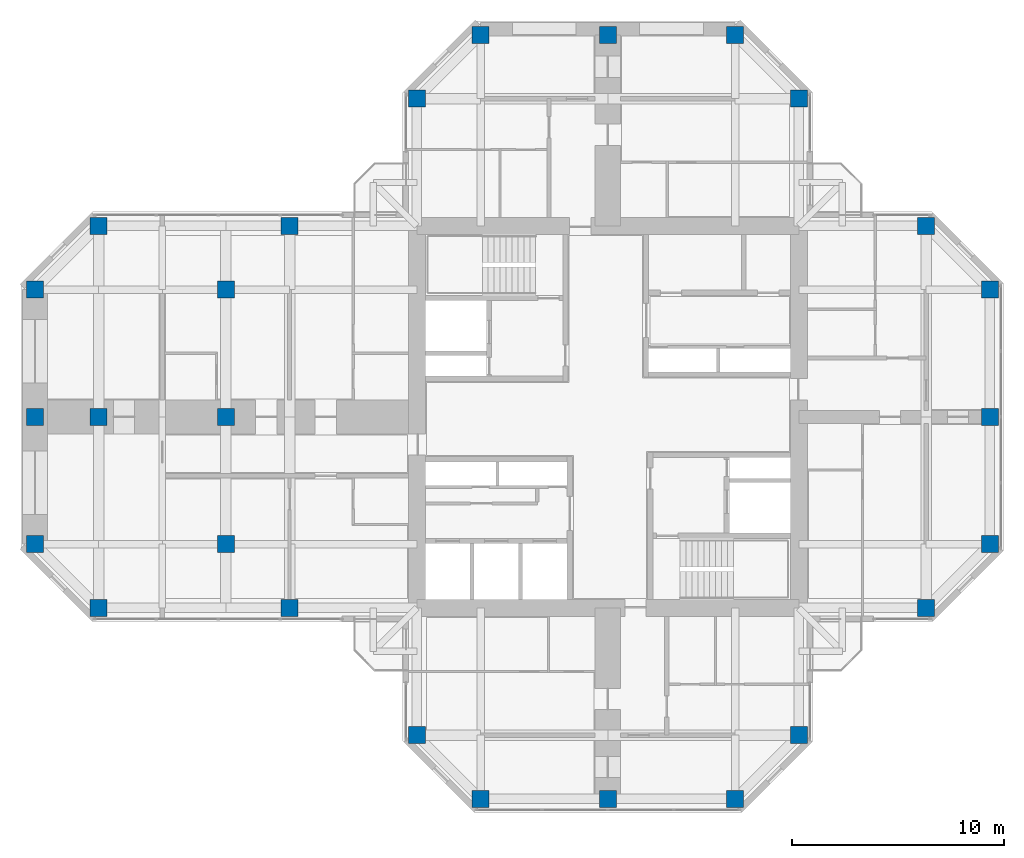
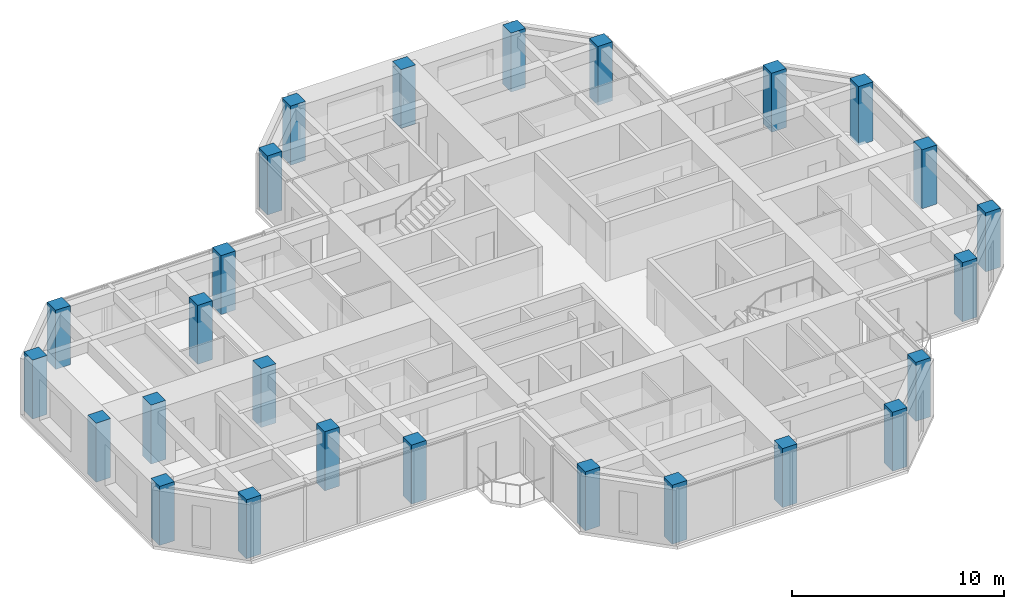
# One storey, part 1 of 13: 26 columns.
"""IFC4 building model written with IfcOpenShell, lengths in metres."""

import ifcopenshell
import ifcopenshell.guid

model = None  # the IFC model being written
_history = None  # IfcOwnerHistory: only IFC2X3 demands one
_inside = {}  # id of a spatial element -> (the spatial element, [elements in it])
_under = {}  # id of a project, library or spatial element -> (it, [spatial elements below it])
_declared = {}  # id of a project -> (the project, [libraries it declares])
_typed = {}  # id of a type object -> (the type object, [elements of that type])
_made_of = {}  # id of a material, layer set ... -> (it, [elements and type objects made of it])


def new_model(schema):
    """Start an empty IFC model of exactly this schema.

    Asked for "IFC4X3", IfcOpenShell would pick the latest addendum, in which some entities
    have other attributes; the version numbers below select the first issue.
    IFC2X3 requires an IfcOwnerHistory on every rooted entity: one is made here for all.
    """
    global model, _history
    if schema == "IFC4X3":
        model = ifcopenshell.file(schema_version=(4, 3, 0, 0))
    else:
        model = ifcopenshell.file(schema=schema)
    _inside.clear()
    _under.clear()
    _declared.clear()
    _typed.clear()
    _made_of.clear()
    _history = None
    if model.schema == "IFC2X3":
        org = make("IfcOrganization", Name="unknown")
        user = make(
            "IfcPersonAndOrganization",
            ThePerson=make("IfcPerson", FamilyName="unknown"),
            TheOrganization=org,
        )
        app = make(
            "IfcApplication",
            ApplicationDeveloper=org,
            Version="unknown",
            ApplicationFullName="unknown",
            ApplicationIdentifier="unknown",
        )
        _history = make(
            "IfcOwnerHistory",
            OwningUser=user,
            OwningApplication=app,
            ChangeAction="ADDED",
            CreationDate=0,
        )
    return model


def make(cls, **values):
    """One entity of the class cls with the attributes given. An attribute that is None is left unset."""
    return model.create_entity(
        cls, **{name: value for name, value in values.items() if value is not None}
    )


def rooted(cls, **values):
    """An entity with a GlobalId (a new one), such as an element, a storey or a relation."""
    return make(cls, GlobalId=ifcopenshell.guid.new(), OwnerHistory=_history, **values)


def si_unit(unit_type, name, prefix=None):
    """IfcSIUnit, for example si_unit("LENGTHUNIT", "METRE", prefix="MILLI")."""
    return make("IfcSIUnit", UnitType=unit_type, Prefix=prefix, Name=name)


def assignment(units):
    """IfcUnitAssignment: the units of a project."""
    return None if units is None else make("IfcUnitAssignment", Units=units)


def point(xyz):
    """IfcCartesianPoint."""
    return None if xyz is None else make("IfcCartesianPoint", Coordinates=xyz)


def direction(xyz):
    """IfcDirection."""
    return None if xyz is None else make("IfcDirection", DirectionRatios=xyz)


def frame(location, z_axis=None, x_axis=None):
    """IfcAxis2Placement3D, a coordinate frame: its origin and axes. An axis left out is left unset."""
    return make(
        "IfcAxis2Placement3D",
        Location=point(location),
        Axis=direction(z_axis),
        RefDirection=direction(x_axis),
    )


def frame_2d(location, x_axis=None):
    """IfcAxis2Placement2D, a coordinate frame in the plane: its origin and x axis."""
    return make(
        "IfcAxis2Placement2D", Location=point(location), RefDirection=direction(x_axis)
    )


def origin():
    """The frame at (0, 0, 0) with its axes left unset."""
    return frame((0.0, 0.0, 0.0))


def origin_2d():
    """The frame at (0, 0) in the plane with its x axis left unset."""
    return frame_2d((0.0, 0.0))


def place(relative_to, where):
    """IfcLocalPlacement: puts the frame where relative to a parent placement (None: the world)."""
    return make(
        "IfcLocalPlacement", PlacementRelTo=relative_to, RelativePlacement=where
    )


def context(
    kind, dimensions, precision=None, world=None, true_north=None, identifier=None
):
    """IfcGeometricRepresentationContext, for example the 3D "Model" context."""
    return make(
        "IfcGeometricRepresentationContext",
        ContextIdentifier=identifier,
        ContextType=kind,
        CoordinateSpaceDimension=dimensions,
        Precision=precision,
        WorldCoordinateSystem=world,
        TrueNorth=true_north,
    )


def subcontext(parent, identifier, kind, view, scale=None):
    """IfcGeometricRepresentationSubContext, for example "Body" below "Model"."""
    return make(
        "IfcGeometricRepresentationSubContext",
        ContextIdentifier=identifier,
        ContextType=kind,
        ParentContext=parent,
        TargetScale=scale,
        TargetView=view,
    )


def project(units=None, contexts=None):
    """IfcProject with its units and contexts."""
    return rooted(
        "IfcProject",
        Name="project",
        RepresentationContexts=contexts,
        UnitsInContext=assignment(units),
    )


def spatial(cls, under=None, at=None, **own):
    """A site, building, storey or space (cls), placed at a placement, below another one or the project."""
    s = rooted(cls, ObjectPlacement=at, **own)
    if under is not None:
        _under.setdefault(under.id(), (under, []))[1].append(s)
    return s


def profile(cls, at=None, kind="AREA", **sizes):
    """A parametric profile (cls). Its sizes go by their IFC names, for example OverallWidth=200.0."""
    return make(cls, ProfileType=kind, Position=at, **sizes)


def rectangle(**sizes):
    """IfcRectangleProfileDef."""
    return profile("IfcRectangleProfileDef", **sizes)


def extrude(swept, where, along, depth):
    """IfcExtrudedAreaSolid: the profile swept, set in the frame where, extruded along a direction by depth."""
    return make(
        "IfcExtrudedAreaSolid",
        SweptArea=swept,
        Position=where,
        ExtrudedDirection=direction(along),
        Depth=depth,
    )


def shape(context_of_items, identifier, shape_type, items):
    """IfcShapeRepresentation: the items that make up one representation, for example the "Body"."""
    return make(
        "IfcShapeRepresentation",
        ContextOfItems=context_of_items,
        RepresentationIdentifier=identifier,
        RepresentationType=shape_type,
        Items=items,
    )


def material(Name=None, Category=None):
    """IfcMaterial."""
    return make("IfcMaterial", Name=Name, Category=Category)


def material_profile(
    of_material, cross_section, Name=None, Category=None, Priority=None
):
    """IfcMaterialProfile: a cross section and its material."""
    return make(
        "IfcMaterialProfile",
        Name=Name,
        Material=of_material,
        Profile=cross_section,
        Priority=Priority,
        Category=Category,
    )


def profile_set(profiles, Name=None, composite=None):
    """IfcMaterialProfileSet."""
    return make(
        "IfcMaterialProfileSet",
        Name=Name,
        MaterialProfiles=profiles,
        CompositeProfile=composite,
    )


def made_of(thing, what):
    """Note that an element or type object is made of a material, layer set ...; save() writes the relation."""
    if what is not None:
        _made_of.setdefault(what.id(), (what, []))[1].append(thing)
    return thing


def type_object(cls, material=None, **own):
    """A type object (cls), such as IfcWallType, which elements share."""
    return made_of(rooted(cls, **own), material)


def element(
    cls,
    number,
    at=None,
    inside=None,
    cuts=None,
    type_object=None,
    material=None,
    context=None,
    identifier="Body",
    shape_type=None,
    held_by="IfcProductDefinitionShape",
    body=None,
    shapes=None,
    **own,
):
    """One element of the class cls, such as IfcWall. Its Tag is "e" and its number.

    at: its placement. inside: the storey or other place that contains it. cuts: it is an
    opening in that element (IfcRelVoidsElement). A single representation is given by context,
    identifier, shape_type and body (its items); several are given by shapes. held_by: the class
    of the entity that holds the representations. save() writes the other relations.
    """
    e = rooted(cls, Tag="e%d" % number, ObjectPlacement=at, **own)
    if body is not None:
        shapes = [shape(context, identifier, shape_type, body)]
    if shapes is not None:
        e.Representation = make(held_by, Representations=shapes)
    if inside is not None:
        _inside.setdefault(inside.id(), (inside, []))[1].append(e)
    if cuts is not None:
        rooted(
            "IfcRelVoidsElement", RelatingBuildingElement=cuts, RelatedOpeningElement=e
        )
    if type_object is not None:
        _typed.setdefault(type_object.id(), (type_object, []))[1].append(e)
    return made_of(e, material)


def aggregate(whole, parts):
    """IfcRelAggregates: a whole, such as a stair, and the parts it consists of."""
    return rooted("IfcRelAggregates", RelatingObject=whole, RelatedObjects=parts)


def save(model, path):
    """Write the relations noted so far, then the file.

    IfcRelAggregates (storeys below a building ...), IfcRelContainedInSpatialStructure (elements
    in a storey), IfcRelDefinesByType, IfcRelAssociatesMaterial and IfcRelDeclares: one each for
    every whole, place, type object, material and project.
    """
    for whole, parts in _under.values():
        aggregate(whole, parts)
    for where, things in _inside.values():
        rooted(
            "IfcRelContainedInSpatialStructure",
            RelatedElements=things,
            RelatingStructure=where,
        )
    for kind, things in _typed.values():
        rooted("IfcRelDefinesByType", RelatedObjects=things, RelatingType=kind)
    for what, things in _made_of.values():
        rooted("IfcRelAssociatesMaterial", RelatedObjects=things, RelatingMaterial=what)
    for by, libraries in _declared.values():
        rooted("IfcRelDeclares", RelatingContext=by, RelatedDefinitions=libraries)
    model.write(path)


model = new_model("IFC4")

# Units and contexts
model_context = context("Model", 3, precision=1e-05, world=origin(), true_north=direction((0.0, 1.0)))
body_context = subcontext(model_context, "Body", "Model", "MODEL_VIEW")
ifc_project = project(units=[si_unit("LENGTHUNIT", "METRE"), si_unit("AREAUNIT", "SQUARE_METRE"), si_unit("VOLUMEUNIT", "CUBIC_METRE"), si_unit("PLANEANGLEUNIT", "RADIAN"), si_unit("MASSUNIT", "GRAM", prefix="KILO")], contexts=[model_context])

# Site, building, storey
site_placement = place(None, origin())
site = spatial("IfcSite", under=ifc_project, at=site_placement, CompositionType="ELEMENT")
building_placement = place(site_placement, origin())
building = spatial("IfcBuilding", under=site, at=building_placement, Name="Torre Cruceta", CompositionType="ELEMENT")
storey_placement = place(building_placement, frame((0.0, 0.0, 239.10009765625)))
storey = spatial("IfcBuildingStorey", under=building, at=storey_placement, Name="L61", CompositionType="ELEMENT", Elevation=239.10009765625)

# Columns
ifc_material = material(Name="Concrete G60 (fck 60 MPa)", Category="concrete")
ifc_material_profile = material_profile(ifc_material, rectangle(XDim=0.800048828125, YDim=0.800048828125, at=origin_2d()), Name="RC 800X800")
ifc_profile_set = profile_set([ifc_material_profile], Name="Concrete G60 (fck 60 MPa)")
column_type = type_object("IfcColumnType", Name="COLUMN RC 800X800", PredefinedType="COLUMN", material=ifc_profile_set)
for number, where, z_axis, x_axis, name in (
    (1, (9.0, 15.0, 0.0), (0.0, 0.0, 1.0), (1.0, 0.0, 0.0), "C7 L61 N chamfer"),
    (2, (-9.0, 15.0, 0.0), (0.0, 0.0, 1.0), (1.0, 0.0, 0.0), "C7 L61 N chamfer"),
    (3, (6.0, 18.0, 0.0), (0.0, 0.0, 1.0), (1.0, 0.0, 0.0), "C7 L61 N tip"),
    (4, (0.0, 18.0, 0.0), (0.0, 0.0, 1.0), (1.0, 0.0, 0.0), "C7 L61 N tip"),
    (5, (-6.0, 18.0, 0.0), (0.0, 0.0, 1.0), (1.0, 0.0, 0.0), "C7 L61 N tip"),
    (6, (15.0, -9.0, 0.0), (0.0, 0.0, 1.0), (1.0, 0.0, 0.0), "C7 L61 E chamfer"),
    (7, (15.0, 9.0, 0.0), (0.0, 0.0, 1.0), (1.0, 0.0, 0.0), "C7 L61 E chamfer"),
    (8, (18.0, -6.0, 0.0), (0.0, 0.0, 1.0), (1.0, 0.0, 0.0), "C7 L61 E tip"),
    (9, (18.0, 0.0, 0.0), (0.0, 0.0, 1.0), (1.0, 0.0, 0.0), "C7 L61 E tip"),
    (10, (18.0, 6.0, 0.0), (0.0, 0.0, 1.0), (1.0, 0.0, 0.0), "C7 L61 E tip"),
    (11, (-9.0, -15.0, 0.0), (0.0, 0.0, 1.0), (1.0, 0.0, 0.0), "C7 L61 S chamfer"),
    (12, (9.0, -15.0, 0.0), (0.0, 0.0, 1.0), (1.0, 0.0, 0.0), "C7 L61 S chamfer"),
    (13, (-6.0, -18.0, 0.0), (0.0, 0.0, 1.0), (1.0, 0.0, 0.0), "C7 L61 S tip"),
    (14, (0.0, -18.0, 0.0), (0.0, 0.0, 1.0), (1.0, 0.0, 0.0), "C7 L61 S tip"),
    (15, (6.0, -18.0, 0.0), (0.0, 0.0, 1.0), (1.0, 0.0, 0.0), "C7 L61 S tip"),
    (16, (-15.0, 9.0, 0.0), (0.0, 0.0, 1.0), (1.0, 0.0, 0.0), "C7 L61 W side"),
    (17, (-24.0, 9.0, 0.0), (0.0, 0.0, 1.0), (1.0, 0.0, 0.0), "C7 L61 W chamfer"),
    (18, (-15.0, -9.0, 0.0), (0.0, 0.0, 1.0), (1.0, 0.0, 0.0), "C7 L61 W side"),
    (19, (-24.0, -9.0, 0.0), (0.0, 0.0, 1.0), (1.0, 0.0, 0.0), "C7 L61 W chamfer"),
    (20, (-27.0, 6.0, 0.0), (0.0, 0.0, 1.0), (1.0, 0.0, 0.0), "C7 L61 W tip"),
    (21, (-27.0, 0.0, 0.0), (0.0, 0.0, 1.0), (1.0, 0.0, 0.0), "C7 L61 W tip"),
    (22, (-27.0, -6.0, 0.0), (0.0, 0.0, 1.0), (1.0, 0.0, 0.0), "C7 L61 W tip"),
    (23, (-18.0, 6.0, 0.0), (0.0, 0.0, 1.0), (1.0, 0.0, 0.0), "C7 L61 W interior"),
    (24, (-18.0, 0.0, 0.0), (0.0, 0.0, 1.0), (1.0, 0.0, 0.0), "C7 L61 W interior"),
    (25, (-18.0, -6.0, 0.0), (0.0, 0.0, 1.0), (1.0, 0.0, 0.0), "C7 L61 W interior"),
    (26, (-24.0, 0.0, 0.0), (0.0, 0.0, 1.0), (1.0, 0.0, 0.0), "C7 L61 W interior"),
):
    element("IfcColumn", number, at=place(storey_placement, frame(where, z_axis=z_axis, x_axis=x_axis)), inside=storey, type_object=column_type, Name=name, PredefinedType="COLUMN", context=body_context, shape_type="SweptSolid", body=[
        extrude(rectangle(XDim=0.800048828125, YDim=0.800048828125, at=origin_2d()), origin(), (0.0, 0.0, 1.0), 3.39990234375),
    ])

save(model, "model.ifc")
